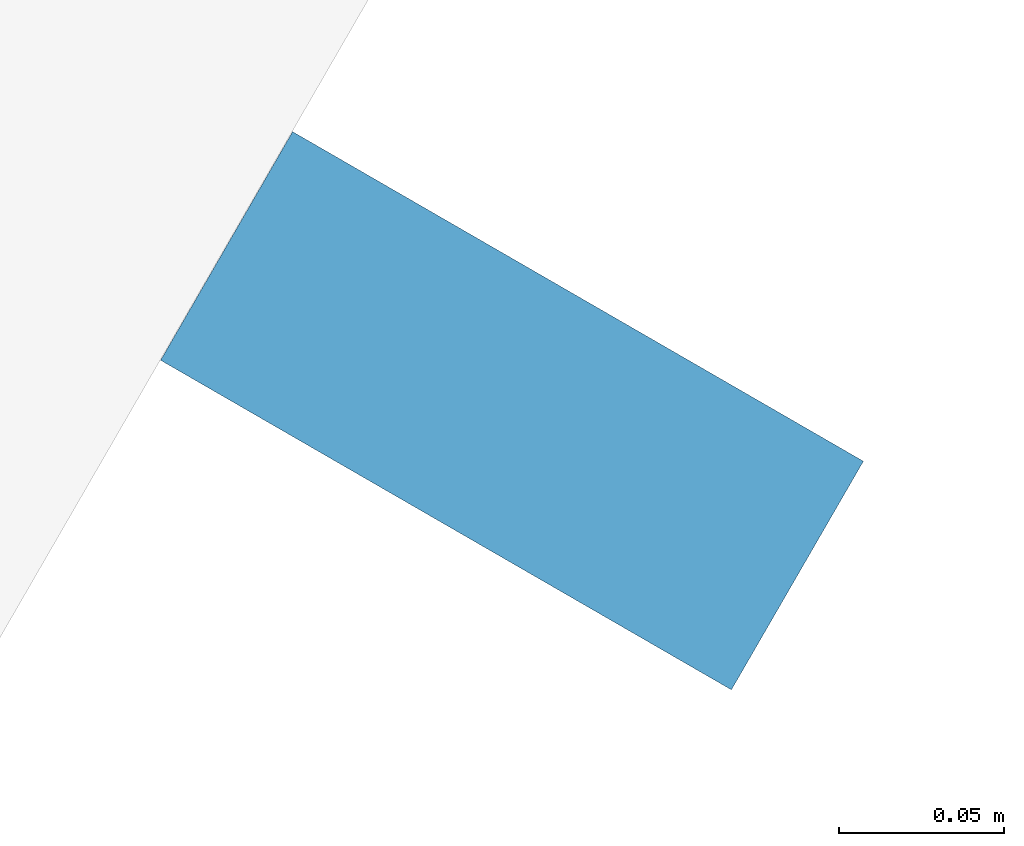
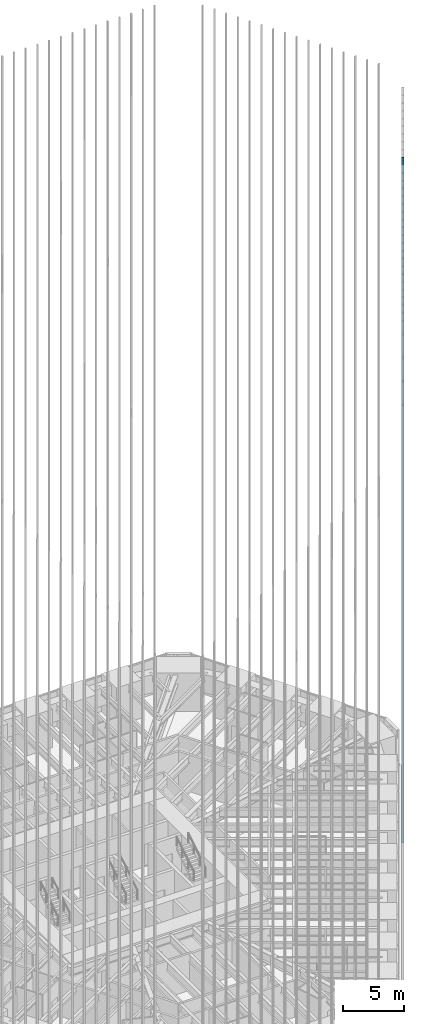
# One storey, part 121 of 256: 1 member, 1 element without a shape of its own.
"""IFC4 building model written with IfcOpenShell, lengths in metres."""

from ifc_helpers import new_model, si_unit, direction, frame, origin, origin_2d, place, context, subcontext, project, spatial, rectangle, extrude, material, material_profile, profile_set, type_object, element, aggregate, save


model = new_model("IFC4")

# Units and contexts
model_context = context("Model", 3, precision=1e-05, world=origin(), true_north=direction((0.0, 1.0)))
body_context = subcontext(model_context, "Body", "Model", "MODEL_VIEW")
ifc_project = project(units=[si_unit("LENGTHUNIT", "METRE"), si_unit("AREAUNIT", "SQUARE_METRE"), si_unit("VOLUMEUNIT", "CUBIC_METRE"), si_unit("PLANEANGLEUNIT", "RADIAN"), si_unit("MASSUNIT", "GRAM", prefix="KILO")], contexts=[model_context])

# Site, building, storey
site_placement = place(None, origin())
site = spatial("IfcSite", under=ifc_project, at=site_placement, CompositionType="ELEMENT")
building_placement = place(site_placement, origin())
building = spatial("IfcBuilding", under=site, at=building_placement, Name="Sandreach Pilgrim Tower", CompositionType="ELEMENT")
storey_placement = place(building_placement, frame((0.0, 0.0, 23.0)))
storey = spatial("IfcBuildingStorey", under=building, at=storey_placement, Name="L04", CompositionType="ELEMENT", Elevation=23.0)

# Curtain wall, member
ifc_material_1 = material(Name="Aluminium framed curtain wall", Category="aluminium")
curtain_wall_type = type_object("IfcCurtainWallType", Name="Hostel tower curtain wall", PredefinedType="NOTDEFINED", material=ifc_material_1)
curtain_wall_placement = place(storey_placement, origin())
curtain_wall = element("IfcCurtainWall", 1, at=curtain_wall_placement, inside=storey, type_object=curtain_wall_type, Name="CW-1 L04 SE", PredefinedType="NOTDEFINED")
ifc_material_2 = material(Name="Extruded terracotta on aluminium core", Category="masonry")
ifc_material_profile = material_profile(ifc_material_2, rectangle(XDim=0.080078125, YDim=0.199951171875, at=origin_2d()), Name="TBE 80X200")
ifc_profile_set = profile_set([ifc_material_profile], Name="Extruded terracotta on aluminium core")
member_type = type_object("IfcMemberType", Name="Terracotta baguette east", PredefinedType="USERDEFINED", material=ifc_profile_set)
member_placement = place(storey_placement, frame((25.509521484375, -4.513671875, 0.0), z_axis=(0.0, 0.0, 1.0), x_axis=(-0.5, -0.866025403784, 0.0)))
member = element("IfcMember", 2, at=member_placement, type_object=member_type, Name="Baguette Z1 SE10", ObjectType="BAGUETTE", PredefinedType="USERDEFINED", context=body_context, shape_type="SweptSolid", body=[
    extrude(rectangle(XDim=0.080078125, YDim=0.199951171875, at=origin_2d()), origin(), (0.0, 0.0, 1.0), 68.239990234375),
])
aggregate(curtain_wall, [member])

save(model, "model.ifc")
